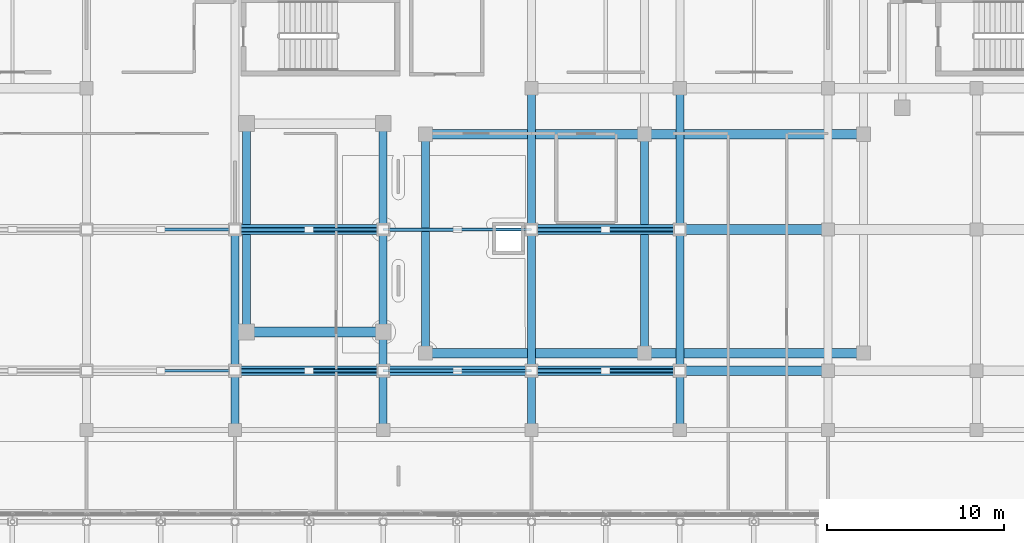
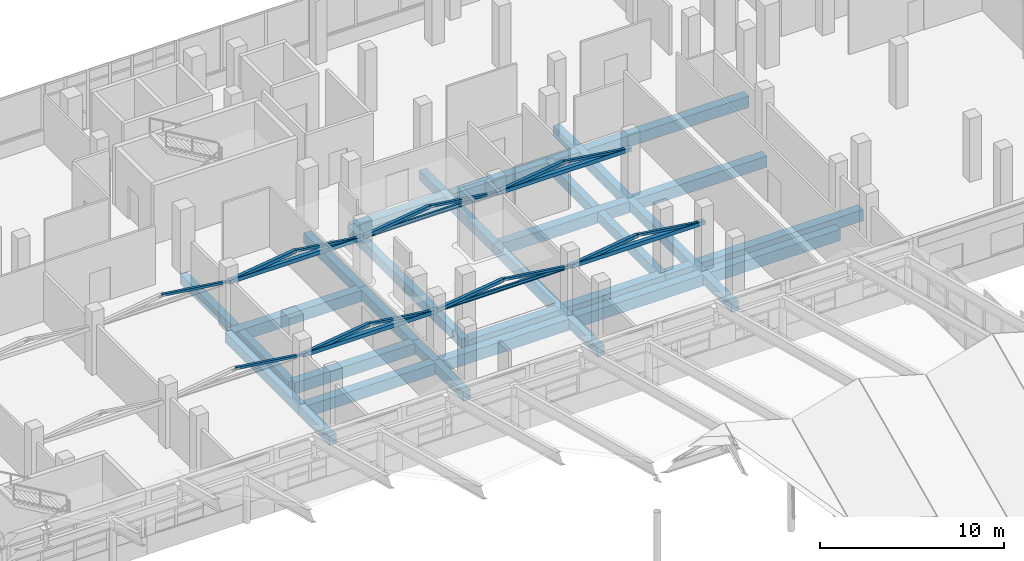
# One storey, part 89 of 184: 27 beams, 20 members.
"""IFC4 building model written with IfcOpenShell, lengths in metres."""

from ifc_helpers import new_model, si_unit, direction, frame, origin, origin_2d, place, context, subcontext, project, spatial, rectangle, hollow_rectangle, i_section, extrude, material, material_profile, profile_set, type_object, element, save


model = new_model("IFC4")

# Units and contexts
model_context = context("Model", 3, precision=1e-05, world=origin(), true_north=direction((0.0, 1.0)))
body_context = subcontext(model_context, "Body", "Model", "MODEL_VIEW")
ifc_project = project(units=[si_unit("LENGTHUNIT", "METRE"), si_unit("AREAUNIT", "SQUARE_METRE"), si_unit("VOLUMEUNIT", "CUBIC_METRE"), si_unit("PLANEANGLEUNIT", "RADIAN"), si_unit("MASSUNIT", "GRAM", prefix="KILO")], contexts=[model_context])

# Site, building, storey
site_placement = place(None, origin())
site = spatial("IfcSite", under=ifc_project, at=site_placement, CompositionType="ELEMENT")
building_placement = place(site_placement, origin())
building = spatial("IfcBuilding", under=site, at=building_placement, Name="Selatvlak General Hospital", CompositionType="ELEMENT")
storey_placement = place(building_placement, frame((0.0, 0.0, 15.0)))
storey = spatial("IfcBuildingStorey", under=building, at=storey_placement, Name="L03", CompositionType="ELEMENT", Elevation=15.0)

# Beams
ifc_material_1 = material(Name="Concrete C40/50", Category="concrete")
ifc_material_profile_1 = material_profile(ifc_material_1, rectangle(XDim=0.550048828125, YDim=0.75, at=origin_2d()), Name="RC-BM 550x750")
ifc_profile_set_1 = profile_set([ifc_material_profile_1], Name="Concrete C40/50")
beam_type_1 = type_object("IfcBeamType", Name="BM-G02", PredefinedType="BEAM", material=ifc_profile_set_1)
beam_1_placement = place(storey_placement, frame((48.0, 92.0, -0.715087890625), z_axis=(1.0, 0.0, 0.0), x_axis=(0.0, 1.0, 0.0)))
element("IfcBeam", 1, at=beam_1_placement, inside=storey, type_object=beam_type_1, Name="Beam BMR-L03-1206", PredefinedType="BEAM", context=body_context, shape_type="SweptSolid", body=[
    extrude(rectangle(XDim=0.550048828125, YDim=0.75, at=origin_2d()), origin(), (0.0, 0.0, 1.0), 8.39990234375),
])
beam_2_placement = place(storey_placement, frame((56.39990234375, 92.0, -0.715087890625), z_axis=(1.0, 0.0, 0.0), x_axis=(0.0, 1.0, 0.0)))
element("IfcBeam", 2, at=beam_2_placement, inside=storey, type_object=beam_type_1, Name="Beam BMR-L03-1207", PredefinedType="BEAM", context=body_context, shape_type="SweptSolid", body=[
    extrude(rectangle(XDim=0.550048828125, YDim=0.75, at=origin_2d()), origin(), (0.0, 0.0, 1.0), 8.400146484375),
])
beam_3_placement = place(storey_placement, frame((64.800048828125, 92.0, -0.715087890625), z_axis=(1.0, 0.0, 0.0), x_axis=(0.0, 1.0, 0.0)))
element("IfcBeam", 3, at=beam_3_placement, inside=storey, type_object=beam_type_1, Name="Beam BMR-L03-1208", PredefinedType="BEAM", context=body_context, shape_type="SweptSolid", body=[
    extrude(rectangle(XDim=0.550048828125, YDim=0.75, at=origin_2d()), origin(), (0.0, 0.0, 1.0), 8.39990234375),
])
beam_4_placement = place(storey_placement, frame((73.199951171875, 92.0, -0.715087890625), z_axis=(1.0, 0.0, 0.0), x_axis=(0.0, 1.0, 0.0)))
element("IfcBeam", 4, at=beam_4_placement, inside=storey, type_object=beam_type_1, Name="Beam BMR-L03-1209", PredefinedType="BEAM", context=body_context, shape_type="SweptSolid", body=[
    extrude(rectangle(XDim=0.550048828125, YDim=0.75, at=origin_2d()), origin(), (0.0, 0.0, 1.0), 8.400146484375),
])
beam_5_placement = place(storey_placement, frame((58.800048828125, 93.0, -0.715087890625), z_axis=(1.0, 0.0, 0.0), x_axis=(0.0, 1.0, 0.0)))
element("IfcBeam", 5, at=beam_5_placement, inside=storey, type_object=beam_type_1, Name="Beam BMR-L03-1223", PredefinedType="BEAM", context=body_context, shape_type="SweptSolid", body=[
    extrude(rectangle(XDim=0.550048828125, YDim=0.75, at=origin_2d()), origin(), (0.0, 0.0, 1.0), 12.39990234375),
])
beam_6_placement = place(storey_placement, frame((71.199951171875, 93.0, -0.715087890625), z_axis=(1.0, 0.0, 0.0), x_axis=(0.0, 1.0, 0.0)))
element("IfcBeam", 6, at=beam_6_placement, inside=storey, type_object=beam_type_1, Name="Beam BMR-L03-1224", PredefinedType="BEAM", context=body_context, shape_type="SweptSolid", body=[
    extrude(rectangle(XDim=0.550048828125, YDim=0.75, at=origin_2d()), origin(), (0.0, 0.0, 1.0), 12.400146484375),
])
beam_7_placement = place(storey_placement, frame((48.64990234375, 94.199951171875, -0.715087890625), z_axis=(1.0, 0.0, 0.0), x_axis=(0.0, 1.0, 0.0)))
element("IfcBeam", 7, at=beam_7_placement, inside=storey, type_object=beam_type_1, Name="Beam BMR-L03-1225", PredefinedType="BEAM", context=body_context, shape_type="SweptSolid", body=[
    extrude(rectangle(XDim=0.550048828125, YDim=0.75, at=origin_2d()), origin(), (0.0, 0.0, 1.0), 7.75),
])
for number, where, z_axis, x_axis, name in (
    (8, (48.0, 100.0, -0.715087890625), (1.0, 0.0, 0.0), (0.0, 1.0, 0.0), "Beam BMR-L03-1229"),
    (9, (64.800048828125, 100.0, -0.715087890625), (1.0, 0.0, 0.0), (0.0, 1.0, 0.0), "Beam BMR-L03-1230"),
):
    element("IfcBeam", number, at=place(storey_placement, frame(where, z_axis=z_axis, x_axis=x_axis)), inside=storey, type_object=beam_type_1, Name=name, PredefinedType="BEAM", context=body_context, shape_type="SweptSolid", body=[
        extrude(rectangle(XDim=0.550048828125, YDim=0.75, at=origin_2d()), origin(), (0.0, 0.0, 1.0), 8.39990234375),
    ])
beam_8_placement = place(storey_placement, frame((73.199951171875, 100.0, -0.715087890625), z_axis=(1.0, 0.0, 0.0), x_axis=(0.0, 1.0, 0.0)))
element("IfcBeam", 10, at=beam_8_placement, inside=storey, type_object=beam_type_1, Name="Beam BMR-L03-1231", PredefinedType="BEAM", context=body_context, shape_type="SweptSolid", body=[
    extrude(rectangle(XDim=0.550048828125, YDim=0.75, at=origin_2d()), origin(), (0.0, 0.0, 1.0), 8.400146484375),
])
beam_9_placement = place(storey_placement, frame((58.800048828125, 105.39990234375, -0.715087890625), z_axis=(1.0, 0.0, 0.0), x_axis=(0.0, 1.0, 0.0)))
element("IfcBeam", 11, at=beam_9_placement, inside=storey, type_object=beam_type_1, Name="Beam BMR-L03-1243", PredefinedType="BEAM", context=body_context, shape_type="SweptSolid", body=[
    extrude(rectangle(XDim=0.550048828125, YDim=0.75, at=origin_2d()), origin(), (0.0, 0.0, 1.0), 12.39990234375),
])
beam_10_placement = place(storey_placement, frame((71.199951171875, 105.39990234375, -0.715087890625), z_axis=(1.0, 0.0, 0.0), x_axis=(0.0, 1.0, 0.0)))
element("IfcBeam", 12, at=beam_10_placement, inside=storey, type_object=beam_type_1, Name="Beam BMR-L03-1244", PredefinedType="BEAM", context=body_context, shape_type="SweptSolid", body=[
    extrude(rectangle(XDim=0.550048828125, YDim=0.75, at=origin_2d()), origin(), (0.0, 0.0, 1.0), 12.400146484375),
])
ifc_material_profile_2 = material_profile(ifc_material_1, rectangle(XDim=0.449951171875, YDim=0.64990234375, at=origin_2d()), Name="RC-BM 450x650")
ifc_profile_set_2 = profile_set([ifc_material_profile_2], Name="Concrete C40/50")
beam_type_2 = type_object("IfcBeamType", Name="BM-G04", PredefinedType="BEAM", material=ifc_profile_set_2)
beam_11_placement = place(storey_placement, frame((48.0, 88.64990234375, -0.6650390625), z_axis=(0.0, 1.0, 0.0), x_axis=(-1.0, 0.0, 0.0)))
element("IfcBeam", 13, at=beam_11_placement, inside=storey, type_object=beam_type_2, Name="Beam BMR-L03-1311", PredefinedType="BEAM", context=body_context, shape_type="SweptSolid", body=[
    extrude(rectangle(XDim=0.449951171875, YDim=0.64990234375, at=origin_2d()), origin(), (0.0, 0.0, 1.0), 3.35009765625),
])
beam_12_placement = place(storey_placement, frame((48.0, 92.0, -0.6650390625), z_axis=(0.0, 1.0, 0.0), x_axis=(-1.0, 0.0, 0.0)))
element("IfcBeam", 14, at=beam_12_placement, inside=storey, type_object=beam_type_2, Name="Beam BMR-L03-1312", PredefinedType="BEAM", context=body_context, shape_type="SweptSolid", body=[
    extrude(rectangle(XDim=0.449951171875, YDim=0.64990234375, at=origin_2d()), origin(), (0.0, 0.0, 1.0), 8.0),
])
beam_13_placement = place(storey_placement, frame((48.64990234375, 94.199951171875, -0.6650390625), z_axis=(0.0, 1.0, 0.0), x_axis=(-1.0, 0.0, 0.0)))
element("IfcBeam", 15, at=beam_13_placement, inside=storey, type_object=beam_type_2, Name="Beam BMR-L03-1314", PredefinedType="BEAM", context=body_context, shape_type="SweptSolid", body=[
    extrude(rectangle(XDim=0.449951171875, YDim=0.64990234375, at=origin_2d()), origin(), (0.0, 0.0, 1.0), 11.800048828125),
])
beam_14_placement = place(storey_placement, frame((56.39990234375, 88.64990234375, -0.6650390625), z_axis=(0.0, 1.0, 0.0), x_axis=(-1.0, 0.0, 0.0)))
element("IfcBeam", 16, at=beam_14_placement, inside=storey, type_object=beam_type_2, Name="Beam BMR-L03-1315", PredefinedType="BEAM", context=body_context, shape_type="SweptSolid", body=[
    extrude(rectangle(XDim=0.449951171875, YDim=0.64990234375, at=origin_2d()), origin(), (0.0, 0.0, 1.0), 3.35009765625),
])
beam_15_placement = place(storey_placement, frame((56.39990234375, 92.0, -0.6650390625), z_axis=(0.0, 1.0, 0.0), x_axis=(-1.0, 0.0, 0.0)))
element("IfcBeam", 17, at=beam_15_placement, inside=storey, type_object=beam_type_2, Name="Beam BMR-L03-1316", PredefinedType="BEAM", context=body_context, shape_type="SweptSolid", body=[
    extrude(rectangle(XDim=0.449951171875, YDim=0.64990234375, at=origin_2d()), origin(), (0.0, 0.0, 1.0), 2.199951171875),
])
beam_16_placement = place(storey_placement, frame((56.39990234375, 94.199951171875, -0.6650390625), z_axis=(0.0, 1.0, 0.0), x_axis=(-1.0, 0.0, 0.0)))
element("IfcBeam", 18, at=beam_16_placement, inside=storey, type_object=beam_type_2, Name="Beam BMR-L03-1317", PredefinedType="BEAM", context=body_context, shape_type="SweptSolid", body=[
    extrude(rectangle(XDim=0.449951171875, YDim=0.64990234375, at=origin_2d()), origin(), (0.0, 0.0, 1.0), 5.800048828125),
])
beam_17_placement = place(storey_placement, frame((56.39990234375, 100.0, -0.6650390625), z_axis=(0.0, 1.0, 0.0), x_axis=(-1.0, 0.0, 0.0)))
element("IfcBeam", 19, at=beam_17_placement, inside=storey, type_object=beam_type_2, Name="Beam BMR-L03-1318", PredefinedType="BEAM", context=body_context, shape_type="SweptSolid", body=[
    extrude(rectangle(XDim=0.449951171875, YDim=0.64990234375, at=origin_2d()), origin(), (0.0, 0.0, 1.0), 6.0),
])
beam_18_placement = place(storey_placement, frame((58.800048828125, 93.0, -0.6650390625), z_axis=(0.0, 1.0, 0.0), x_axis=(-1.0, 0.0, 0.0)))
element("IfcBeam", 20, at=beam_18_placement, inside=storey, type_object=beam_type_2, Name="Beam BMR-L03-1320", PredefinedType="BEAM", context=body_context, shape_type="SweptSolid", body=[
    extrude(rectangle(XDim=0.449951171875, YDim=0.64990234375, at=origin_2d()), origin(), (0.0, 0.0, 1.0), 12.39990234375),
])
beam_19_placement = place(storey_placement, frame((64.800048828125, 88.64990234375, -0.6650390625), z_axis=(0.0, 1.0, 0.0), x_axis=(-1.0, 0.0, 0.0)))
element("IfcBeam", 21, at=beam_19_placement, inside=storey, type_object=beam_type_2, Name="Beam BMR-L03-1321", PredefinedType="BEAM", context=body_context, shape_type="SweptSolid", body=[
    extrude(rectangle(XDim=0.449951171875, YDim=0.64990234375, at=origin_2d()), origin(), (0.0, 0.0, 1.0), 3.35009765625),
])
for number, where, z_axis, x_axis, name in (
    (22, (64.800048828125, 92.0, -0.6650390625), (0.0, 1.0, 0.0), (-1.0, 0.0, 0.0), "Beam BMR-L03-1322"),
    (23, (64.800048828125, 100.0, -0.6650390625), (0.0, 1.0, 0.0), (-1.0, 0.0, 0.0), "Beam BMR-L03-1323"),
):
    element("IfcBeam", number, at=place(storey_placement, frame(where, z_axis=z_axis, x_axis=x_axis)), inside=storey, type_object=beam_type_2, Name=name, PredefinedType="BEAM", context=body_context, shape_type="SweptSolid", body=[
        extrude(rectangle(XDim=0.449951171875, YDim=0.64990234375, at=origin_2d()), origin(), (0.0, 0.0, 1.0), 8.0),
    ])
beam_20_placement = place(storey_placement, frame((71.199951171875, 93.0, -0.6650390625), z_axis=(0.0, 1.0, 0.0), x_axis=(-1.0, 0.0, 0.0)))
element("IfcBeam", 24, at=beam_20_placement, inside=storey, type_object=beam_type_2, Name="Beam BMR-L03-1326", PredefinedType="BEAM", context=body_context, shape_type="SweptSolid", body=[
    extrude(rectangle(XDim=0.449951171875, YDim=0.64990234375, at=origin_2d()), origin(), (0.0, 0.0, 1.0), 12.39990234375),
])
beam_21_placement = place(storey_placement, frame((73.199951171875, 88.64990234375, -0.6650390625), z_axis=(0.0, 1.0, 0.0), x_axis=(-1.0, 0.0, 0.0)))
element("IfcBeam", 25, at=beam_21_placement, inside=storey, type_object=beam_type_2, Name="Beam BMR-L03-1328", PredefinedType="BEAM", context=body_context, shape_type="SweptSolid", body=[
    extrude(rectangle(XDim=0.449951171875, YDim=0.64990234375, at=origin_2d()), origin(), (0.0, 0.0, 1.0), 3.35009765625),
])
for number, where, z_axis, x_axis, name in (
    (26, (73.199951171875, 92.0, -0.6650390625), (0.0, 1.0, 0.0), (-1.0, 0.0, 0.0), "Beam BMR-L03-1329"),
    (27, (73.199951171875, 100.0, -0.6650390625), (0.0, 1.0, 0.0), (-1.0, 0.0, 0.0), "Beam BMR-L03-1330"),
):
    element("IfcBeam", number, at=place(storey_placement, frame(where, z_axis=z_axis, x_axis=x_axis)), inside=storey, type_object=beam_type_2, Name=name, PredefinedType="BEAM", context=body_context, shape_type="SweptSolid", body=[
        extrude(rectangle(XDim=0.449951171875, YDim=0.64990234375, at=origin_2d()), origin(), (0.0, 0.0, 1.0), 8.0),
    ])

# Members
ifc_material_2 = material(Name="Steel S355", Category="steel")
ifc_material_profile_3 = material_profile(ifc_material_2, hollow_rectangle(XDim=0.199951171875, YDim=0.199951171875, WallThickness=0.010009765625, at=origin_2d()), Name="SHS 200x200x10")
ifc_profile_set_3 = profile_set([ifc_material_profile_3], Name="Steel S355")
member_type_1 = type_object("IfcMemberType", Name="MEM-BR3", PredefinedType="BRACE", material=ifc_profile_set_3)
for number, where, z_axis, x_axis, name in (
    (28, (48.0, 92.0, 2.949951171875), (0.990913750562, 0.0, 0.134498843665), (0.0, 1.0, 0.0), "L03 interstitial web diagonal 3L"),
    (29, (48.0, 100.0, 2.949951171875), (0.990913750562, 0.0, 0.134498843665), (0.0, 1.0, 0.0), "L03 interstitial web diagonal 3L"),
):
    element("IfcMember", number, at=place(storey_placement, frame(where, z_axis=z_axis, x_axis=x_axis)), inside=storey, type_object=member_type_1, Name=name, PredefinedType="BRACE", context=body_context, shape_type="SweptSolid", body=[
        extrude(hollow_rectangle(XDim=0.199951171875, YDim=0.199951171875, WallThickness=0.010009765625, at=origin_2d()), origin(), (0.0, 0.0, 1.0), 4.238525390625),
    ])
for number, where, z_axis, x_axis, name in (
    (30, (56.39990234375, 92.0, 2.949951171875), (0.990914792475, 0.0, 0.134491167195), (0.0, 1.0, 0.0), "L03 interstitial web diagonal 4L"),
    (31, (56.39990234375, 100.0, 2.949951171875), (0.990914792475, 0.0, 0.134491167195), (0.0, 1.0, 0.0), "L03 interstitial web diagonal 4L"),
):
    element("IfcMember", number, at=place(storey_placement, frame(where, z_axis=z_axis, x_axis=x_axis)), inside=storey, type_object=member_type_1, Name=name, PredefinedType="BRACE", context=body_context, shape_type="SweptSolid", body=[
        extrude(hollow_rectangle(XDim=0.199951171875, YDim=0.199951171875, WallThickness=0.010009765625, at=origin_2d()), origin(), (0.0, 0.0, 1.0), 4.23876953125),
    ])
for number, where, z_axis, x_axis, name in (
    (32, (64.800048828125, 92.0, 2.949951171875), (0.990913750562, 0.0, 0.134498843665), (0.0, 1.0, 0.0), "L03 interstitial web diagonal 5L"),
    (33, (64.800048828125, 100.0, 2.949951171875), (0.990913750562, 0.0, 0.134498843665), (0.0, 1.0, 0.0), "L03 interstitial web diagonal 5L"),
):
    element("IfcMember", number, at=place(storey_placement, frame(where, z_axis=z_axis, x_axis=x_axis)), inside=storey, type_object=member_type_1, Name=name, PredefinedType="BRACE", context=body_context, shape_type="SweptSolid", body=[
        extrude(hollow_rectangle(XDim=0.199951171875, YDim=0.199951171875, WallThickness=0.010009765625, at=origin_2d()), origin(), (0.0, 0.0, 1.0), 4.238525390625),
    ])
ifc_material_profile_4 = material_profile(ifc_material_2, hollow_rectangle(XDim=0.14990234375, YDim=0.14990234375, WallThickness=0.008056640625, at=origin_2d()), Name="SHS 150x150x8")
ifc_profile_set_4 = profile_set([ifc_material_profile_4], Name="Steel S355")
member_type_2 = type_object("IfcMemberType", Name="MEM-BR4", PredefinedType="BRACE", material=ifc_profile_set_4)
for number, where, z_axis, x_axis, name in (
    (34, (43.800048828125, 92.0, 3.52001953125), (0.990913750562, 0.0, -0.134498843665), (0.0, 1.0, 0.0), "L03 interstitial web diagonal 2R"),
    (35, (43.800048828125, 100.0, 3.52001953125), (0.990913750562, 0.0, -0.134498843665), (0.0, 1.0, 0.0), "L03 interstitial web diagonal 2R"),
    (36, (52.199951171875, 92.0, 3.52001953125), (0.990913750562, 0.0, -0.134498843665), (0.0, 1.0, 0.0), "L03 interstitial web diagonal 3R"),
    (37, (52.199951171875, 100.0, 3.52001953125), (0.990913750562, 0.0, -0.134498843665), (0.0, 1.0, 0.0), "L03 interstitial web diagonal 3R"),
    (38, (60.60009765625, 92.0, 3.52001953125), (0.990913750562, 0.0, -0.134498843665), (0.0, 1.0, 0.0), "L03 interstitial web diagonal 4R"),
    (39, (60.60009765625, 100.0, 3.52001953125), (0.990913750562, 0.0, -0.134498843665), (0.0, 1.0, 0.0), "L03 interstitial web diagonal 4R"),
    (40, (69.0, 92.0, 3.52001953125), (0.990913750562, 0.0, -0.134498843665), (0.0, 1.0, 0.0), "L03 interstitial web diagonal 5R"),
    (41, (69.0, 100.0, 3.52001953125), (0.990913750562, 0.0, -0.134498843665), (0.0, 1.0, 0.0), "L03 interstitial web diagonal 5R"),
):
    element("IfcMember", number, at=place(storey_placement, frame(where, z_axis=z_axis, x_axis=x_axis)), inside=storey, type_object=member_type_2, Name=name, PredefinedType="BRACE", context=body_context, shape_type="SweptSolid", body=[
        extrude(hollow_rectangle(XDim=0.14990234375, YDim=0.14990234375, WallThickness=0.008056640625, at=origin_2d()), origin(), (0.0, 0.0, 1.0), 4.238525390625),
    ])
ifc_material_profile_5 = material_profile(ifc_material_2, hollow_rectangle(XDim=0.25, YDim=0.25, WallThickness=0.012451171875, at=origin_2d()), Name="SHS 250x250x12.5")
ifc_profile_set_5 = profile_set([ifc_material_profile_5], Name="Steel S355")
member_type_3 = type_object("IfcMemberType", Name="MEM-CH2", PredefinedType="CHORD", material=ifc_profile_set_5)
for number, where, z_axis, x_axis, name in (
    (42, (48.0, 92.0, 2.949951171875), (1.0, 0.0, 0.0), (0.0, 1.0, 0.0), "L03 interstitial bottom chord 3-92"),
    (43, (48.0, 100.0, 2.949951171875), (1.0, 0.0, 0.0), (0.0, 1.0, 0.0), "L03 interstitial bottom chord 3-100"),
    (44, (64.800048828125, 92.0, 2.949951171875), (1.0, 0.0, 0.0), (0.0, 1.0, 0.0), "L03 interstitial bottom chord 5-92"),
    (45, (64.800048828125, 100.0, 2.949951171875), (1.0, 0.0, 0.0), (0.0, 1.0, 0.0), "L03 interstitial bottom chord 5-100"),
):
    element("IfcMember", number, at=place(storey_placement, frame(where, z_axis=z_axis, x_axis=x_axis)), inside=storey, type_object=member_type_3, Name=name, PredefinedType="CHORD", context=body_context, shape_type="SweptSolid", body=[
        extrude(hollow_rectangle(XDim=0.25, YDim=0.25, WallThickness=0.012451171875, at=origin_2d()), origin(), (0.0, 0.0, 1.0), 8.39990234375),
    ])
ifc_material_profile_6 = material_profile(ifc_material_2, i_section(OverallWidth=0.1201171875, OverallDepth=0.239990234375, WebThickness=0.006103515625, FlangeThickness=0.009765625, at=origin_2d()), Name="IPE 240")
ifc_profile_set_6 = profile_set([ifc_material_profile_6], Name="Steel S355")
member_type_4 = type_object("IfcMemberType", Name="MEM-CH3", PredefinedType="CHORD", material=ifc_profile_set_6)
for number, where, z_axis, x_axis, name in (
    (46, (56.39990234375, 92.0, 2.949951171875), (1.0, 0.0, 0.0), (0.0, 1.0, 0.0), "L03 interstitial bottom chord 4-92"),
    (47, (56.39990234375, 100.0, 2.949951171875), (1.0, 0.0, 0.0), (0.0, 1.0, 0.0), "L03 interstitial bottom chord 4-100"),
):
    element("IfcMember", number, at=place(storey_placement, frame(where, z_axis=z_axis, x_axis=x_axis)), inside=storey, type_object=member_type_4, Name=name, PredefinedType="CHORD", context=body_context, shape_type="SweptSolid", body=[
        extrude(i_section(OverallWidth=0.1201171875, OverallDepth=0.239990234375, WebThickness=0.006103515625, FlangeThickness=0.009765625, at=origin_2d()), origin(), (0.0, 0.0, 1.0), 8.400146484375),
    ])

save(model, "model.ifc")
